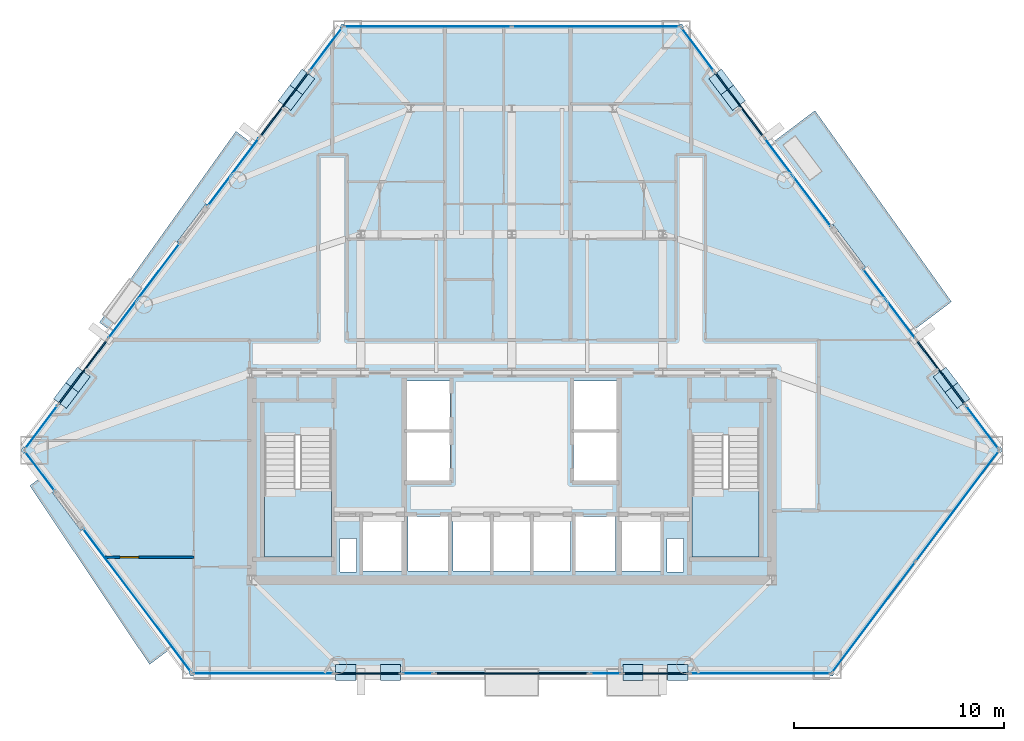
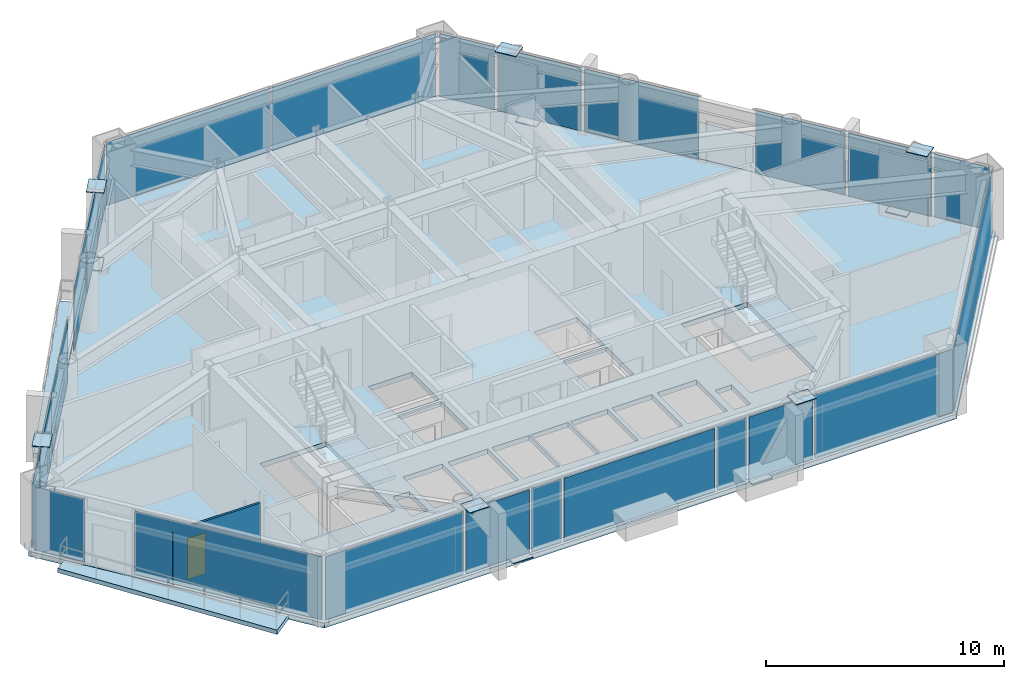
# One storey, part 5 of 11: 37 plates, 6 slabs, 1 door, 1 wall, 1 opening, 25 elements without a shape of their own.
"""IFC4 building model written with IfcOpenShell, lengths in metres."""

from ifc_helpers import new_model, si_unit, direction, frame, frame_2d, origin, origin_2d, place, context, subcontext, project, spatial, polyline, rectangle, outline, extrude, source, transform, mapped, material, layer, layer_set, type_object, type_shapes, element, fill, aggregate, save


model = new_model("IFC4")

# Units and contexts
model_context = context("Model", 3, precision=1e-05, world=origin(), true_north=direction((0.0, 1.0)))
body_context = subcontext(model_context, "Body", "Model", "MODEL_VIEW")
ifc_project = project(units=[si_unit("LENGTHUNIT", "METRE"), si_unit("AREAUNIT", "SQUARE_METRE"), si_unit("VOLUMEUNIT", "CUBIC_METRE"), si_unit("PLANEANGLEUNIT", "RADIAN"), si_unit("MASSUNIT", "GRAM", prefix="KILO")], contexts=[model_context])

# Site, building, storey
site_placement = place(None, origin())
site = spatial("IfcSite", under=ifc_project, at=site_placement, CompositionType="ELEMENT")
building_placement = place(site_placement, origin())
building = spatial("IfcBuilding", under=site, at=building_placement, Name="Talgorran Terracotta Tower", CompositionType="ELEMENT")
storey_placement = place(building_placement, frame((0.0, 0.0, 45.89990234375)))
storey = spatial("IfcBuildingStorey", under=building, at=storey_placement, Name="L11", CompositionType="ELEMENT", Elevation=45.89990234375)

# Plates
ifc_material_1 = material(Name="Steel Grade 350 (350L0)", Category="steel")
ifc_layer_1 = layer(ifc_material_1, 0.0400390625, Name="PL_CAP_MN05")
ifc_layer_set_1 = layer_set([ifc_layer_1], Name="Steel Grade 350 (350L0)")
plate_type_1 = type_object("IfcPlateType", Name="PL_CAP_MN05", PredefinedType="USERDEFINED", material=ifc_layer_set_1)
for number, where, z_axis, x_axis, name in (
    (1, (-5.784912109375, -18.49560546875, -0.010009765625), (0.0, 0.0, 1.0), (-1.0, 0.0, 0.0), "L11 Diagonal Frame End Cap SWF Bot"),
    (2, (-7.916259765625, -18.49560546875, 3.320068359375), (0.0, 0.0, 1.0), (-1.0, 0.0, 0.0), "L11 Diagonal Frame End Cap SWF Top"),
    (3, (5.784912109375, -18.49560546875, -0.010009765625), (0.0, 0.0, 1.0), (1.0, 0.0, 0.0), "L11 Diagonal Frame End Cap SEF Bot"),
    (4, (7.916259765625, -18.49560546875, 3.320068359375), (0.0, 0.0, 1.0), (1.0, 0.0, 0.0), "L11 Diagonal Frame End Cap SEF Top"),
    (5, (20.689453125, -4.546142578125, -0.010009765625), (0.0, 0.0, 1.0), (0.601675625795, -0.798740534419, 0.0), "L11 Diagonal Frame End Cap NEL Bot"),
    (6, (21.251220703125, -5.2919921875, 3.320068359375), (0.0, 0.0, 1.0), (0.601675625795, -0.798740534419, 0.0), "L11 Diagonal Frame End Cap NEL Top"),
    (7, (10.547119140625, 8.91943359375, -0.010009765625), (0.0, 0.0, 1.0), (-0.601675625795, 0.798740534419, 0.0), "L11 Diagonal Frame End Cap NEU Bot"),
    (8, (9.985595703125, 9.665283203125, 3.320068359375), (0.0, 0.0, 1.0), (-0.601675625795, 0.798740534419, 0.0), "L11 Diagonal Frame End Cap NEU Top"),
    (9, (-10.547119140625, 8.91943359375, -0.010009765625), (0.0, 0.0, 1.0), (0.601675625795, 0.798740534419, 0.0), "L11 Diagonal Frame End Cap NWU Bot"),
    (10, (-9.985595703125, 9.665283203125, 3.320068359375), (0.0, 0.0, 1.0), (0.601675625795, 0.798740534419, 0.0), "L11 Diagonal Frame End Cap NWU Top"),
    (11, (-20.689453125, -4.546142578125, -0.010009765625), (0.0, 0.0, 1.0), (-0.601675625795, -0.798740534419, 0.0), "L11 Diagonal Frame End Cap NWL Bot"),
    (12, (-21.251220703125, -5.2919921875, 3.320068359375), (0.0, 0.0, 1.0), (-0.601675625795, -0.798740534419, 0.0), "L11 Diagonal Frame End Cap NWL Top"),
):
    element("IfcPlate", number, at=place(storey_placement, frame(where, z_axis=z_axis, x_axis=x_axis)), inside=storey, type_object=plate_type_1, Name=name, ObjectType="CAP PLATE", PredefinedType="USERDEFINED", context=body_context, shape_type="SweptSolid", body=[
        extrude(rectangle(XDim=0.9599609375, YDim=0.760009765625, at=origin_2d()), origin(), (0.0, 0.0, 1.0), 0.0400390625),
    ])

# Slabs
ifc_material_2 = material(Name="Concrete C40/50", Category="concrete")
ifc_layer_2 = layer(ifc_material_2, 0.219970703125, Name="SL_BALCONY_220")
ifc_layer_set_2 = layer_set([ifc_layer_2], Name="Concrete C40/50")
slab_type_1 = type_object("IfcSlabType", Name="SL_BALCONY_220", PredefinedType="FLOOR", material=ifc_layer_set_2)
slab_1_placement = place(storey_placement, frame((0.0, 0.0, -0.219970703125)))
element("IfcSlab", 13, at=slab_1_placement, inside=storey, type_object=slab_type_1, Name="L11 Outdoor Wave Balcony BAL-NE", PredefinedType="FLOOR", context=body_context, shape_type="SweptSolid", body=[
    extrude(outline(polyline([(12.403564453125, 6.74560546875), (19.13720703125, -2.1943359375), (20.964111328125, -0.818115234375), (14.45654296875, 8.2919921875), (12.403564453125, 6.74560546875)])), origin(), (0.0, 0.0, 1.0), 0.219970703125),
])
slab_2_placement = place(storey_placement, frame((0.0, 0.0, -0.219970703125)))
element("IfcSlab", 14, at=slab_2_placement, inside=storey, type_object=slab_type_1, Name="L11 Outdoor Wave Balcony BAL-NW", PredefinedType="FLOOR", context=body_context, shape_type="SweptSolid", body=[
    extrude(outline(polyline([(-19.13720703125, -2.1943359375), (-12.403564453125, 6.74560546875), (-13.148681640625, 7.306884765625), (-19.656005859375, -1.803466796875), (-19.13720703125, -2.1943359375)])), origin(), (0.0, 0.0, 1.0), 0.219970703125),
])
slab_3_placement = place(storey_placement, frame((0.0, 0.0, -0.219970703125)))
element("IfcSlab", 15, at=slab_3_placement, inside=storey, type_object=slab_type_1, Name="L11 Outdoor Wave Balcony BAL-SW", PredefinedType="FLOOR", context=body_context, shape_type="SweptSolid", body=[
    extrude(outline(polyline([(-16.2880859375, -17.373046875), (-22.44921875, -9.193115234375), (-22.977783203125, -9.591064453125), (-17.268310546875, -18.111328125), (-16.2880859375, -17.373046875)])), origin(), (0.0, 0.0, 1.0), 0.219970703125),
])

# Stair, slab
stair_type = type_object("IfcStairType", Name="ST_FIRE_SCISSOR", PredefinedType="HALF_TURN_STAIR", material=ifc_material_2)
stair_1_placement = place(storey_placement, origin())
stair_1 = element("IfcStair", 16, at=stair_1_placement, inside=storey, type_object=stair_type, Name="L11 West Protected Fire Stair ST-01", PredefinedType="HALF_TURN_STAIR")
ifc_layer_3 = layer(ifc_material_2, 0.199951171875, Name="SL_LANDING_200")
ifc_layer_set_3 = layer_set([ifc_layer_3], Name="Concrete C40/50")
slab_type_2 = type_object("IfcSlabType", Name="SL_LANDING_200", PredefinedType="LANDING", material=ifc_layer_set_3)
slab_4_placement = place(storey_placement, frame((0.0, 0.0, 1.60009765625)))
slab_4 = element("IfcSlab", 17, at=slab_4_placement, type_object=slab_type_2, Name="ST-01 landing 1", PredefinedType="LANDING", context=body_context, shape_type="SweptSolid", body=[
    extrude(outline(polyline([(-11.800048828125, -9.719970703125), (-11.800048828125, -13.0), (-8.60009765625, -13.0), (-8.60009765625, -9.719970703125), (-11.800048828125, -9.719970703125)])), origin(), (0.0, 0.0, 1.0), 0.199951171875),
])
aggregate(stair_1, [slab_4])

stair_2_placement = place(storey_placement, origin())
stair_2 = element("IfcStair", 18, at=stair_2_placement, inside=storey, type_object=stair_type, Name="L11 East Protected Fire Stair ST-02", PredefinedType="HALF_TURN_STAIR")
slab_5_placement = place(storey_placement, frame((0.0, 0.0, 1.60009765625)))
slab_5 = element("IfcSlab", 19, at=slab_5_placement, type_object=slab_type_2, Name="ST-02 landing 1", PredefinedType="LANDING", context=body_context, shape_type="SweptSolid", body=[
    extrude(outline(polyline([(8.60009765625, -9.719970703125), (8.60009765625, -13.0), (11.800048828125, -13.0), (11.800048828125, -9.719970703125), (8.60009765625, -9.719970703125)])), origin(), (0.0, 0.0, 1.0), 0.199951171875),
])
aggregate(stair_2, [slab_5])

# Slab
ifc_layer_4 = layer(ifc_material_2, 0.264892578125, Name="SL_TOWER_265")
ifc_layer_set_4 = layer_set([ifc_layer_4], Name="Concrete C40/50")
slab_type_3 = type_object("IfcSlabType", Name="SL_TOWER_265", PredefinedType="FLOOR", material=ifc_layer_set_4)
slab_6_placement = place(storey_placement, frame((0.0, 0.0, -0.25)))
element("IfcSlab", 20, at=slab_6_placement, inside=storey, type_object=slab_type_3, Name="Storey L11 Structural Floor Slab", PredefinedType="FLOOR", context=body_context, shape_type="SweptSolid", body=[
    extrude(outline(polyline([(-23.409912109375, -7.892333984375), (-15.30322265625, -18.655517578125), (15.30322265625, -18.655517578125), (23.409912109375, -7.892333984375), (8.106689453125, 12.42578125), (-8.106689453125, 12.42578125), (-23.409912109375, -7.892333984375)]), holes=[polyline([(-11.800048828125, -7.199951171875), (-11.800048828125, -13.0), (-8.60009765625, -13.0), (-8.60009765625, -7.199951171875), (-11.800048828125, -7.199951171875)]), polyline([(8.60009765625, -7.199951171875), (8.60009765625, -13.0), (11.800048828125, -13.0), (11.800048828125, -7.199951171875), (8.60009765625, -7.199951171875)]), polyline([(-7.10009765625, -13.64990234375), (-5.199951171875, -13.64990234375), (-5.199951171875, -11.050048828125), (-7.10009765625, -11.050048828125), (-7.10009765625, -13.64990234375)]), polyline([(5.199951171875, -13.64990234375), (7.10009765625, -13.64990234375), (7.10009765625, -11.050048828125), (5.199951171875, -11.050048828125), (5.199951171875, -13.64990234375)]), polyline([(3.0, -13.64990234375), (4.949951171875, -13.64990234375), (4.949951171875, -11.050048828125), (3.0, -11.050048828125), (3.0, -13.64990234375)]), polyline([(-4.949951171875, -13.64990234375), (-3.0, -13.64990234375), (-3.0, -11.050048828125), (-4.949951171875, -11.050048828125), (-4.949951171875, -13.64990234375)]), polyline([(-5.050048828125, -9.35009765625), (-2.949951171875, -9.35009765625), (-2.949951171875, -7.050048828125), (-5.050048828125, -7.050048828125), (-5.050048828125, -9.35009765625)]), polyline([(-5.050048828125, -6.89990234375), (-2.949951171875, -6.89990234375), (-2.949951171875, -4.60009765625), (-5.050048828125, -4.60009765625), (-5.050048828125, -6.89990234375)]), polyline([(2.949951171875, -9.35009765625), (5.050048828125, -9.35009765625), (5.050048828125, -7.050048828125), (2.949951171875, -7.050048828125), (2.949951171875, -9.35009765625)]), polyline([(2.949951171875, -6.89990234375), (5.050048828125, -6.89990234375), (5.050048828125, -4.60009765625), (2.949951171875, -4.60009765625), (2.949951171875, -6.89990234375)]), polyline([(-2.800048828125, -13.64990234375), (-1.0, -13.64990234375), (-1.0, -11.050048828125), (-2.800048828125, -11.050048828125), (-2.800048828125, -13.64990234375)]), polyline([(-0.89990234375, -13.64990234375), (0.89990234375, -13.64990234375), (0.89990234375, -11.050048828125), (-0.89990234375, -11.050048828125), (-0.89990234375, -13.64990234375)]), polyline([(1.0, -13.64990234375), (2.800048828125, -13.64990234375), (2.800048828125, -11.050048828125), (1.0, -11.050048828125), (1.0, -13.64990234375)]), polyline([(-8.199951171875, -13.699951171875), (-7.39990234375, -13.699951171875), (-7.39990234375, -12.10009765625), (-8.199951171875, -12.10009765625), (-8.199951171875, -13.699951171875)]), polyline([(7.39990234375, -13.699951171875), (8.199951171875, -13.699951171875), (8.199951171875, -12.10009765625), (7.39990234375, -12.10009765625), (7.39990234375, -13.699951171875)])]), origin(), (0.0, 0.0, 1.0), 0.25),
])

# Curtain wall, plate
ifc_material_3 = material(Name="Unitised Low-E Double Glazing", Category="glass")
ifc_layer_5 = layer(ifc_material_3, 0.199951171875, Name="CW_SYS2_RES_LOW")
ifc_layer_set_5 = layer_set([ifc_layer_5], Name="Unitised Low-E Double Glazing")
curtain_wall_type = type_object("IfcCurtainWallType", Name="CW_SYS2_RES_LOW", PredefinedType="NOTDEFINED", material=ifc_layer_set_5)
curtain_wall_1_placement = place(storey_placement, origin())
curtain_wall_1 = element("IfcCurtainWall", 21, at=curtain_wall_1_placement, inside=storey, type_object=curtain_wall_type, Name="CW-L11-F10", PredefinedType="NOTDEFINED")
ifc_material_4 = material(Name="Low-E Laminated Vision Glass", Category="glass")
ifc_layer_6 = layer(ifc_material_4, 0.028076171875, Name="PLT_VISION_28")
ifc_layer_set_6 = layer_set([ifc_layer_6], Name="Low-E Laminated Vision Glass")
plate_type_2 = type_object("IfcPlateType", Name="PLT_VISION_28", PredefinedType="CURTAIN_PANEL", material=ifc_layer_set_6)
shared_shape_1 = source(origin(), body_context, "Body", "SweptSolid", [
    extrude(rectangle(XDim=2.30810546875, YDim=0.028076171875, at=origin_2d()), origin(), (0.0, 0.0, 1.0), 3.219970703125),
])
plate_1_placement = place(storey_placement, frame((-22.502197265625, -8.898193359375, 0.06494140625), z_axis=(0.0, 0.0, 1.0), x_axis=(0.601645881993, -0.798762938976, 0.0)))
plate_1 = element("IfcPlate", 22, at=plate_1_placement, type_object=plate_type_2, Name="CW-L11-10 panel 1.1", PredefinedType="CURTAIN_PANEL", context=body_context, shape_type="MappedRepresentation", body=[
    mapped(shared_shape_1, transform((0.0, 0.0, 0.0), scale=1.0)),
])
aggregate(curtain_wall_1, [plate_1])

curtain_wall_2_placement = place(storey_placement, origin())
curtain_wall_2 = element("IfcCurtainWall", 23, at=curtain_wall_2_placement, inside=storey, type_object=curtain_wall_type, Name="CW-L11-F11", PredefinedType="NOTDEFINED")
shared_shape_2 = source(origin(), body_context, "Body", "SweptSolid", [
    extrude(rectangle(XDim=8.51611328125, YDim=0.028076171875, at=origin_2d()), origin(), (0.0, 0.0, 1.0), 3.219970703125),
])
plate_2_placement = place(storey_placement, frame((-17.868408203125, -15.050537109375, 0.06494140625), z_axis=(0.0, 0.0, 1.0), x_axis=(0.601632772758, -0.798772812972, 0.0)))
plate_2 = element("IfcPlate", 24, at=plate_2_placement, type_object=plate_type_2, Name="CW-L11-11 panel 1.1", PredefinedType="CURTAIN_PANEL", context=body_context, shape_type="MappedRepresentation", body=[
    mapped(shared_shape_2, transform((0.0, 0.0, 0.0), scale=1.0)),
])
aggregate(curtain_wall_2, [plate_2])

curtain_wall_3_placement = place(storey_placement, origin())
curtain_wall_3 = element("IfcCurtainWall", 25, at=curtain_wall_3_placement, inside=storey, type_object=curtain_wall_type, Name="CW-L11-F1", PredefinedType="NOTDEFINED")
shared_shape_3 = source(origin(), body_context, "Body", "SweptSolid", [
    extrude(rectangle(XDim=6.660888671875, YDim=0.028076171875, at=origin_2d()), origin(), (0.0, 0.0, 1.0), 3.219970703125),
])
plate_3_placement = place(storey_placement, frame((-11.847900390625, -18.53564453125, 0.06494140625), z_axis=(0.0, 0.0, 1.0), x_axis=(1.0, 0.0, 0.0)))
plate_3 = element("IfcPlate", 26, at=plate_3_placement, type_object=plate_type_2, Name="CW-L11-1 panel 1.1", PredefinedType="CURTAIN_PANEL", context=body_context, shape_type="MappedRepresentation", body=[
    mapped(shared_shape_3, transform((0.0, 0.0, 0.0), scale=1.0)),
])
aggregate(curtain_wall_3, [plate_3])

curtain_wall_4_placement = place(storey_placement, origin())
curtain_wall_4 = element("IfcCurtainWall", 27, at=curtain_wall_4_placement, inside=storey, type_object=curtain_wall_type, Name="CW-L11-F1G", PredefinedType="NOTDEFINED")
plate_4_placement = place(storey_placement, frame((11.847900390625, -18.53564453125, 0.06494140625), z_axis=(0.0, 0.0, 1.0), x_axis=(1.0, 0.0, 0.0)))
plate_4 = element("IfcPlate", 28, at=plate_4_placement, type_object=plate_type_2, Name="CW-L11-1G panel 1.1", PredefinedType="CURTAIN_PANEL", context=body_context, shape_type="MappedRepresentation", body=[
    mapped(shared_shape_3, transform((0.0, 0.0, 0.0), scale=1.0)),
])
aggregate(curtain_wall_4, [plate_4])

curtain_wall_5_placement = place(storey_placement, origin())
curtain_wall_5 = element("IfcCurtainWall", 29, at=curtain_wall_5_placement, inside=storey, type_object=curtain_wall_type, Name="CW-L11-F1B", PredefinedType="NOTDEFINED")
ifc_material_5 = material(Name="Terracotta Insulated Spandrel", Category="masonry")
ifc_layer_7 = layer(ifc_material_5, 0.06494140625, Name="PLT_SPANDREL_TERRA")
ifc_layer_set_7 = layer_set([ifc_layer_7], Name="Terracotta Insulated Spandrel")
plate_type_3 = type_object("IfcPlateType", Name="PLT_SPANDREL_TERRA", PredefinedType="SHEET", material=ifc_layer_set_7)
shared_shape_4 = source(origin(), body_context, "Body", "SweptSolid", [
    extrude(rectangle(XDim=3.053955078125, YDim=0.06494140625, at=origin_2d()), origin(), (0.0, 0.0, 1.0), 3.219970703125),
])
plate_5_placement = place(storey_placement, frame((-6.8505859375, -18.53564453125, 0.06494140625), z_axis=(0.0, 0.0, 1.0), x_axis=(1.0, 0.0, 0.0)))
plate_5 = element("IfcPlate", 30, at=plate_5_placement, type_object=plate_type_3, Name="CW-L11-1B panel 1.1", PredefinedType="CURTAIN_PANEL", context=body_context, shape_type="MappedRepresentation", body=[
    mapped(shared_shape_4, transform((0.0, 0.0, 0.0), scale=1.0)),
])
aggregate(curtain_wall_5, [plate_5])

curtain_wall_6_placement = place(storey_placement, origin())
curtain_wall_6 = element("IfcCurtainWall", 31, at=curtain_wall_6_placement, inside=storey, type_object=curtain_wall_type, Name="CW-L11-F1F", PredefinedType="NOTDEFINED")
plate_6_placement = place(storey_placement, frame((6.8505859375, -18.53564453125, 0.06494140625), z_axis=(0.0, 0.0, 1.0), x_axis=(1.0, 0.0, 0.0)))
plate_6 = element("IfcPlate", 32, at=plate_6_placement, type_object=plate_type_3, Name="CW-L11-1F panel 1.1", PredefinedType="CURTAIN_PANEL", context=body_context, shape_type="MappedRepresentation", body=[
    mapped(shared_shape_4, transform((0.0, 0.0, 0.0), scale=1.0)),
])
aggregate(curtain_wall_6, [plate_6])

curtain_wall_7_placement = place(storey_placement, origin())
curtain_wall_7 = element("IfcCurtainWall", 33, at=curtain_wall_7_placement, inside=storey, type_object=curtain_wall_type, Name="CW-L11-F1C", PredefinedType="NOTDEFINED")
shared_shape_5 = source(origin(), body_context, "Body", "SweptSolid", [
    extrude(rectangle(XDim=1.39990234375, YDim=0.028076171875, at=origin_2d()), origin(), (0.0, 0.0, 1.0), 3.219970703125),
])
plate_7_placement = place(storey_placement, frame((-4.483642578125, -18.53564453125, 0.06494140625), z_axis=(0.0, 0.0, 1.0), x_axis=(1.0, 0.0, 0.0)))
plate_7 = element("IfcPlate", 34, at=plate_7_placement, type_object=plate_type_2, Name="CW-L11-1C panel 1.1", PredefinedType="CURTAIN_PANEL", context=body_context, shape_type="MappedRepresentation", body=[
    mapped(shared_shape_5, transform((0.0, 0.0, 0.0), scale=1.0)),
])
aggregate(curtain_wall_7, [plate_7])

curtain_wall_8_placement = place(storey_placement, origin())
curtain_wall_8 = element("IfcCurtainWall", 35, at=curtain_wall_8_placement, inside=storey, type_object=curtain_wall_type, Name="CW-L11-F1E", PredefinedType="NOTDEFINED")
plate_8_placement = place(storey_placement, frame((4.483642578125, -18.53564453125, 0.06494140625), z_axis=(0.0, 0.0, 1.0), x_axis=(1.0, 0.0, 0.0)))
plate_8 = element("IfcPlate", 36, at=plate_8_placement, type_object=plate_type_2, Name="CW-L11-1E panel 1.1", PredefinedType="CURTAIN_PANEL", context=body_context, shape_type="MappedRepresentation", body=[
    mapped(shared_shape_5, transform((0.0, 0.0, 0.0), scale=1.0)),
])
aggregate(curtain_wall_8, [plate_8])

curtain_wall_9_placement = place(storey_placement, origin())
curtain_wall_9 = element("IfcCurtainWall", 37, at=curtain_wall_9_placement, inside=storey, type_object=curtain_wall_type, Name="CW-L11-F1D", PredefinedType="NOTDEFINED")
shared_shape_6 = source(origin(), body_context, "Body", "SweptSolid", [
    extrude(rectangle(XDim=7.28759765625, YDim=0.06494140625, at=origin_2d()), origin(), (0.0, 0.0, 1.0), 3.219970703125),
])
plate_9_placement = place(storey_placement, frame((0.0, -18.53564453125, 0.06494140625), z_axis=(0.0, 0.0, 1.0), x_axis=(1.0, 0.0, 0.0)))
plate_9 = element("IfcPlate", 38, at=plate_9_placement, type_object=plate_type_3, Name="CW-L11-1D panel 1.1", PredefinedType="CURTAIN_PANEL", context=body_context, shape_type="MappedRepresentation", body=[
    mapped(shared_shape_6, transform((0.0, 0.0, 0.0), scale=1.0)),
])
aggregate(curtain_wall_9, [plate_9])

# Curtain wall, plates
curtain_wall_10_placement = place(storey_placement, origin())
curtain_wall_10 = element("IfcCurtainWall", 39, at=curtain_wall_10_placement, inside=storey, type_object=curtain_wall_type, Name="CW-L11-F2", PredefinedType="NOTDEFINED")
shared_shape_7 = source(origin(), body_context, "Body", "SweptSolid", [
    extrude(rectangle(XDim=6.564697265625, YDim=0.028076171875, at=origin_2d()), origin(), (0.0, 0.0, 1.0), 3.219970703125),
])
plate_10_placement = place(storey_placement, frame((17.25732421875, -15.86181640625, 0.06494140625), z_axis=(0.0, 0.0, 1.0), x_axis=(0.60163184062, 0.798773515054, 0.0)))
plate_10 = element("IfcPlate", 40, at=plate_10_placement, type_object=plate_type_2, Name="CW-L11-2 panel 1.1", PredefinedType="CURTAIN_PANEL", context=body_context, shape_type="MappedRepresentation", body=[
    mapped(shared_shape_7, transform((0.0, 0.0, 0.0), scale=1.0)),
])
plate_11_placement = place(storey_placement, frame((21.245849609375, -10.566162109375, 0.06494140625), z_axis=(0.0, 0.0, 1.0), x_axis=(0.60163184062, 0.798773515054, 0.0)))
plate_11 = element("IfcPlate", 41, at=plate_11_placement, type_object=plate_type_2, Name="CW-L11-2 panel 2.1", PredefinedType="CURTAIN_PANEL", context=body_context, shape_type="MappedRepresentation", body=[
    mapped(shared_shape_7, transform((0.0, 0.0, 0.0), scale=1.0)),
])
aggregate(curtain_wall_10, [plate_10, plate_11])

# Curtain wall, plate
curtain_wall_11_placement = place(storey_placement, origin())
curtain_wall_11 = element("IfcCurtainWall", 42, at=curtain_wall_11_placement, inside=storey, type_object=curtain_wall_type, Name="CW-L11-F40", PredefinedType="NOTDEFINED")
shared_shape_8 = source(origin(), body_context, "Body", "SweptSolid", [
    extrude(rectangle(XDim=2.526611328125, YDim=0.028076171875, at=origin_2d()), origin(), (0.0, 0.0, 1.0), 3.219970703125),
])
plate_12_placement = place(storey_placement, frame((22.4365234375, -6.79931640625, 0.06494140625), z_axis=(0.0, 0.0, 1.0), x_axis=(-0.601618845727, 0.798783302571, 0.0)))
plate_12 = element("IfcPlate", 43, at=plate_12_placement, type_object=plate_type_2, Name="CW-L11-40 panel 1.1", PredefinedType="CURTAIN_PANEL", context=body_context, shape_type="MappedRepresentation", body=[
    mapped(shared_shape_8, transform((0.0, 0.0, 0.0), scale=1.0)),
])
aggregate(curtain_wall_11, [plate_12])

curtain_wall_12_placement = place(storey_placement, origin())
curtain_wall_12 = element("IfcCurtainWall", 44, at=curtain_wall_12_placement, inside=storey, type_object=curtain_wall_type, Name="CW-L11-F61C", PredefinedType="NOTDEFINED")
plate_13_placement = place(storey_placement, frame((-22.4365234375, -6.79931640625, 0.06494140625), z_axis=(0.0, 0.0, 1.0), x_axis=(-0.601636935067, -0.798769677919, 0.0)))
plate_13 = element("IfcPlate", 45, at=plate_13_placement, type_object=plate_type_2, Name="CW-L11-61C panel 1.1", PredefinedType="CURTAIN_PANEL", context=body_context, shape_type="MappedRepresentation", body=[
    mapped(shared_shape_8, transform((0.0, 0.0, 0.0), scale=1.0)),
])
aggregate(curtain_wall_12, [plate_13])

curtain_wall_13_placement = place(storey_placement, origin())
curtain_wall_13 = element("IfcCurtainWall", 46, at=curtain_wall_13_placement, inside=storey, type_object=curtain_wall_type, Name="CW-L11-F40B", PredefinedType="NOTDEFINED")
shared_shape_9 = source(origin(), body_context, "Body", "SweptSolid", [
    extrude(rectangle(XDim=3.79052734375, YDim=0.06494140625, at=origin_2d()), origin(), (0.0, 0.0, 1.0), 3.219970703125),
])
type_shapes(plate_type_3, [shared_shape_4, shared_shape_6, shared_shape_9])
plate_14_placement = place(storey_placement, frame((20.4521484375, -4.16455078125, 0.06494140625), z_axis=(0.0, 0.0, 1.0), x_axis=(-0.601631192283, 0.798774003378, 0.0)))
plate_14 = element("IfcPlate", 47, at=plate_14_placement, type_object=plate_type_3, Name="CW-L11-40B panel 1.1", PredefinedType="CURTAIN_PANEL", context=body_context, shape_type="MappedRepresentation", body=[
    mapped(shared_shape_9, transform((0.0, 0.0, 0.0), scale=1.0)),
])
aggregate(curtain_wall_13, [plate_14])

curtain_wall_14_placement = place(storey_placement, origin())
curtain_wall_14 = element("IfcCurtainWall", 48, at=curtain_wall_14_placement, inside=storey, type_object=curtain_wall_type, Name="CW-L11-F41B", PredefinedType="NOTDEFINED")
plate_15_placement = place(storey_placement, frame((10.848388671875, 8.5859375, 0.06494140625), z_axis=(0.0, 0.0, 1.0), x_axis=(-0.601631192283, 0.798774003378, 0.0)))
plate_15 = element("IfcPlate", 49, at=plate_15_placement, type_object=plate_type_3, Name="CW-L11-41B panel 1.1", PredefinedType="CURTAIN_PANEL", context=body_context, shape_type="MappedRepresentation", body=[
    mapped(shared_shape_9, transform((0.0, 0.0, 0.0), scale=1.0)),
])
aggregate(curtain_wall_14, [plate_15])

curtain_wall_15_placement = place(storey_placement, origin())
curtain_wall_15 = element("IfcCurtainWall", 50, at=curtain_wall_15_placement, inside=storey, type_object=curtain_wall_type, Name="CW-L11-F60B", PredefinedType="NOTDEFINED")
plate_16_placement = place(storey_placement, frame((-10.8486328125, 8.5859375, 0.06494140625), z_axis=(0.0, 0.0, 1.0), x_axis=(-0.601631192283, -0.798774003378, 0.0)))
plate_16 = element("IfcPlate", 51, at=plate_16_placement, type_object=plate_type_3, Name="CW-L11-60B panel 1.1", PredefinedType="CURTAIN_PANEL", context=body_context, shape_type="MappedRepresentation", body=[
    mapped(shared_shape_9, transform((0.0, 0.0, 0.0), scale=1.0)),
])
aggregate(curtain_wall_15, [plate_16])

curtain_wall_16_placement = place(storey_placement, origin())
curtain_wall_16 = element("IfcCurtainWall", 52, at=curtain_wall_16_placement, inside=storey, type_object=curtain_wall_type, Name="CW-L11-F61B", PredefinedType="NOTDEFINED")
plate_17_placement = place(storey_placement, frame((-20.4521484375, -4.16455078125, 0.06494140625), z_axis=(0.0, 0.0, 1.0), x_axis=(-0.601631192283, -0.798774003378, 0.0)))
plate_17 = element("IfcPlate", 53, at=plate_17_placement, type_object=plate_type_3, Name="CW-L11-61B panel 1.1", PredefinedType="CURTAIN_PANEL", context=body_context, shape_type="MappedRepresentation", body=[
    mapped(shared_shape_9, transform((0.0, 0.0, 0.0), scale=1.0)),
])
aggregate(curtain_wall_16, [plate_17])

curtain_wall_17_placement = place(storey_placement, origin())
curtain_wall_17 = element("IfcCurtainWall", 54, at=curtain_wall_17_placement, inside=storey, type_object=curtain_wall_type, Name="CW-L11-F40C", PredefinedType="NOTDEFINED")
shared_shape_10 = source(origin(), body_context, "Body", "SweptSolid", [
    extrude(rectangle(XDim=4.092529296875, YDim=0.028076171875, at=origin_2d()), origin(), (0.0, 0.0, 1.0), 3.219970703125),
])
plate_18_placement = place(storey_placement, frame((17.996337890625, -0.904296875, 0.06494140625), z_axis=(0.0, 0.0, 1.0), x_axis=(-0.601620582489, 0.798781994492, 0.0)))
plate_18 = element("IfcPlate", 55, at=plate_18_placement, type_object=plate_type_2, Name="CW-L11-40C panel 1.1", PredefinedType="CURTAIN_PANEL", context=body_context, shape_type="MappedRepresentation", body=[
    mapped(shared_shape_10, transform((0.0, 0.0, 0.0), scale=1.0)),
])
aggregate(curtain_wall_17, [plate_18])

curtain_wall_18_placement = place(storey_placement, origin())
curtain_wall_18 = element("IfcCurtainWall", 56, at=curtain_wall_18_placement, inside=storey, type_object=curtain_wall_type, Name="CW-L11-F41", PredefinedType="NOTDEFINED")
shared_shape_11 = source(origin(), body_context, "Body", "SweptSolid", [
    extrude(rectangle(XDim=5.20947265625, YDim=0.028076171875, at=origin_2d()), origin(), (0.0, 0.0, 1.0), 3.219970703125),
])
plate_19_placement = place(storey_placement, frame((13.64013671875, 4.879638671875, 0.06494140625), z_axis=(0.0, 0.0, 1.0), x_axis=(-0.601625868181, 0.798778013427, 0.0)))
plate_19 = element("IfcPlate", 57, at=plate_19_placement, type_object=plate_type_2, Name="CW-L11-41 panel 1.1", PredefinedType="CURTAIN_PANEL", context=body_context, shape_type="MappedRepresentation", body=[
    mapped(shared_shape_11, transform((0.0, 0.0, 0.0), scale=1.0)),
])
aggregate(curtain_wall_18, [plate_19])

curtain_wall_19_placement = place(storey_placement, origin())
curtain_wall_19 = element("IfcCurtainWall", 58, at=curtain_wall_19_placement, inside=storey, type_object=curtain_wall_type, Name="CW-L11-F41C", PredefinedType="NOTDEFINED")
shared_shape_12 = source(origin(), body_context, "Body", "SweptSolid", [
    extrude(rectangle(XDim=2.516357421875, YDim=0.028076171875, at=origin_2d()), origin(), (0.0, 0.0, 1.0), 3.219970703125),
])
plate_20_placement = place(storey_placement, frame((8.866943359375, 11.216796875, 0.06494140625), z_axis=(0.0, 0.0, 1.0), x_axis=(-0.601613055834, 0.798787663306, 0.0)))
plate_20 = element("IfcPlate", 59, at=plate_20_placement, type_object=plate_type_2, Name="CW-L11-41C panel 1.1", PredefinedType="CURTAIN_PANEL", context=body_context, shape_type="MappedRepresentation", body=[
    mapped(shared_shape_12, transform((0.0, 0.0, 0.0), scale=1.0)),
])
aggregate(curtain_wall_19, [plate_20])

curtain_wall_20_placement = place(storey_placement, origin())
curtain_wall_20 = element("IfcCurtainWall", 60, at=curtain_wall_20_placement, inside=storey, type_object=curtain_wall_type, Name="CW-L11-F60", PredefinedType="NOTDEFINED")
plate_21_placement = place(storey_placement, frame((-8.8671875, 11.216796875, 0.06494140625), z_axis=(0.0, 0.0, 1.0), x_axis=(-0.60163716571, -0.798769504198, 0.0)))
plate_21 = element("IfcPlate", 61, at=plate_21_placement, type_object=plate_type_2, Name="CW-L11-60 panel 1.1", PredefinedType="CURTAIN_PANEL", context=body_context, shape_type="MappedRepresentation", body=[
    mapped(shared_shape_12, transform((0.0, 0.0, 0.0), scale=1.0)),
])
aggregate(curtain_wall_20, [plate_21])

# Curtain wall, plates
curtain_wall_21_placement = place(storey_placement, origin())
curtain_wall_21 = element("IfcCurtainWall", 62, at=curtain_wall_21_placement, inside=storey, type_object=curtain_wall_type, Name="CW-L11-F4", PredefinedType="NOTDEFINED")
shared_shape_13 = source(origin(), body_context, "Body", "SweptSolid", [
    extrude(rectangle(XDim=7.949462890625, YDim=0.028076171875, at=origin_2d()), origin(), (0.0, 0.0, 1.0), 3.219970703125),
])
plate_22_placement = place(storey_placement, frame((4.007080078125, 12.3056640625, 0.06494140625), z_axis=(0.0, 0.0, 1.0), x_axis=(-1.0, 0.0, 0.0)))
plate_22 = element("IfcPlate", 63, at=plate_22_placement, type_object=plate_type_2, Name="CW-L11-4 panel 1.1", PredefinedType="CURTAIN_PANEL", context=body_context, shape_type="MappedRepresentation", body=[
    mapped(shared_shape_13, transform((0.0, 0.0, 0.0), scale=1.0)),
])
plate_23_placement = place(storey_placement, frame((-4.007080078125, 12.3056640625, 0.06494140625), z_axis=(0.0, 0.0, 1.0), x_axis=(-1.0, 0.0, 0.0)))
plate_23 = element("IfcPlate", 64, at=plate_23_placement, type_object=plate_type_2, Name="CW-L11-4 panel 2.1", PredefinedType="CURTAIN_PANEL", context=body_context, shape_type="MappedRepresentation", body=[
    mapped(shared_shape_13, transform((0.0, 0.0, 0.0), scale=1.0)),
])
aggregate(curtain_wall_21, [plate_22, plate_23])

# Curtain wall, plate
curtain_wall_22_placement = place(storey_placement, origin())
curtain_wall_22 = element("IfcCurtainWall", 65, at=curtain_wall_22_placement, inside=storey, type_object=curtain_wall_type, Name="CW-L11-F60C", PredefinedType="NOTDEFINED")
shared_shape_14 = source(origin(), body_context, "Body", "SweptSolid", [
    extrude(rectangle(XDim=3.98974609375, YDim=0.028076171875, at=origin_2d()), origin(), (0.0, 0.0, 1.0), 3.219970703125),
])
plate_24_placement = place(storey_placement, frame((-13.273193359375, 5.366943359375, 0.06494140625), z_axis=(0.0, 0.0, 1.0), x_axis=(-0.601626074067, -0.798777858358, 0.0)))
plate_24 = element("IfcPlate", 66, at=plate_24_placement, type_object=plate_type_2, Name="CW-L11-60C panel 1.1", PredefinedType="CURTAIN_PANEL", context=body_context, shape_type="MappedRepresentation", body=[
    mapped(shared_shape_14, transform((0.0, 0.0, 0.0), scale=1.0)),
])
aggregate(curtain_wall_22, [plate_24])

curtain_wall_23_placement = place(storey_placement, origin())
curtain_wall_23 = element("IfcCurtainWall", 67, at=curtain_wall_23_placement, inside=storey, type_object=curtain_wall_type, Name="CW-L11-F61", PredefinedType="NOTDEFINED")
shared_shape_15 = source(origin(), body_context, "Body", "SweptSolid", [
    extrude(rectangle(XDim=5.6123046875, YDim=0.028076171875, at=origin_2d()), origin(), (0.0, 0.0, 1.0), 3.219970703125),
])
type_shapes(plate_type_2, [shared_shape_1, shared_shape_2, shared_shape_3, shared_shape_5, shared_shape_7, shared_shape_8, shared_shape_10, shared_shape_11, shared_shape_12, shared_shape_13, shared_shape_14, shared_shape_15])
plate_25_placement = place(storey_placement, frame((-17.539306640625, -0.29736328125, 0.06494140625), z_axis=(0.0, 0.0, 1.0), x_axis=(-0.601628731722, -0.79877585665, 0.0)))
plate_25 = element("IfcPlate", 68, at=plate_25_placement, type_object=plate_type_2, Name="CW-L11-61 panel 1.1", PredefinedType="CURTAIN_PANEL", context=body_context, shape_type="MappedRepresentation", body=[
    mapped(shared_shape_15, transform((0.0, 0.0, 0.0), scale=1.0)),
])
aggregate(curtain_wall_23, [plate_25])

# Wall, opening, door
ifc_material_6 = material(Name="Lightweight Steel Stud Partition", Category="steel")
ifc_layer_8 = layer(ifc_material_6, 0.10498046875, Name="WT_PART_110")
ifc_layer_set_8 = layer_set([ifc_layer_8], Name="Lightweight Steel Stud Partition")
wall_type = type_object("IfcWallType", Name="WT_PART_110", PredefinedType="PARTITIONING", material=ifc_layer_set_8)
wall_placement = place(storey_placement, frame((-19.412841796875, -13.0, 0.0), z_axis=(0.0, 0.0, 1.0), x_axis=(1.0, 0.0, 0.0)))
wall = element("IfcWall", 69, at=wall_placement, inside=storey, type_object=wall_type, Name="WL-L11-W-L11-R30", PredefinedType="PARTITIONING", context=body_context, shape_type="SweptSolid", body=[
    extrude(rectangle(XDim=4.2529296875, YDim=0.10498046875, at=frame_2d((2.12646484375, 0.0))), origin(), (0.0, 0.0, 1.0), 2.71337890625),
])
opening_placement = place(wall_placement, frame((0.738525390625, 0.0, 0.0)))
opening = element("IfcOpeningElement", 70, at=opening_placement, cuts=wall, Name="Opening DR-L11-R03", PredefinedType="OPENING", context=body_context, shape_type="SweptSolid", body=[
    extrude(rectangle(XDim=0.8858828125, YDim=2.10409765625, at=frame_2d((0.43994140625, 1.052001953125))), frame((0.0, 0.0625, 0.0), z_axis=(0.0, -1.0, 0.0), x_axis=(1.0, 0.0, 0.0)), (0.0, 0.0, 1.0), 0.125),
])
ifc_material_7 = material(Name="Solid-Core Painted Timber", Category="wood")
door_type = type_object("IfcDoorType", Name="DT_INT_880", OperationType="NOTDEFINED", PredefinedType="DOOR", material=ifc_material_7)
door_placement = place(opening_placement, origin())
door = element("IfcDoor", 71, at=door_placement, inside=storey, type_object=door_type, Name="DR-L11-R03", OperationType="SINGLE_SWING_LEFT", OverallHeight=2.10009765625, OverallWidth=0.8798828125, PredefinedType="DOOR", context=body_context, shape_type="SweptSolid", body=[
    extrude(rectangle(XDim=0.8798828125, YDim=2.10009765625, at=frame_2d((0.43994140625, 1.050048828125))), frame((0.0, 0.02490234375, 0.0), z_axis=(0.0, -1.0, 0.0), x_axis=(1.0, 0.0, 0.0)), (0.0, 0.0, 1.0), 0.050048828125),
])
fill(opening, door)

save(model, "model.ifc")
